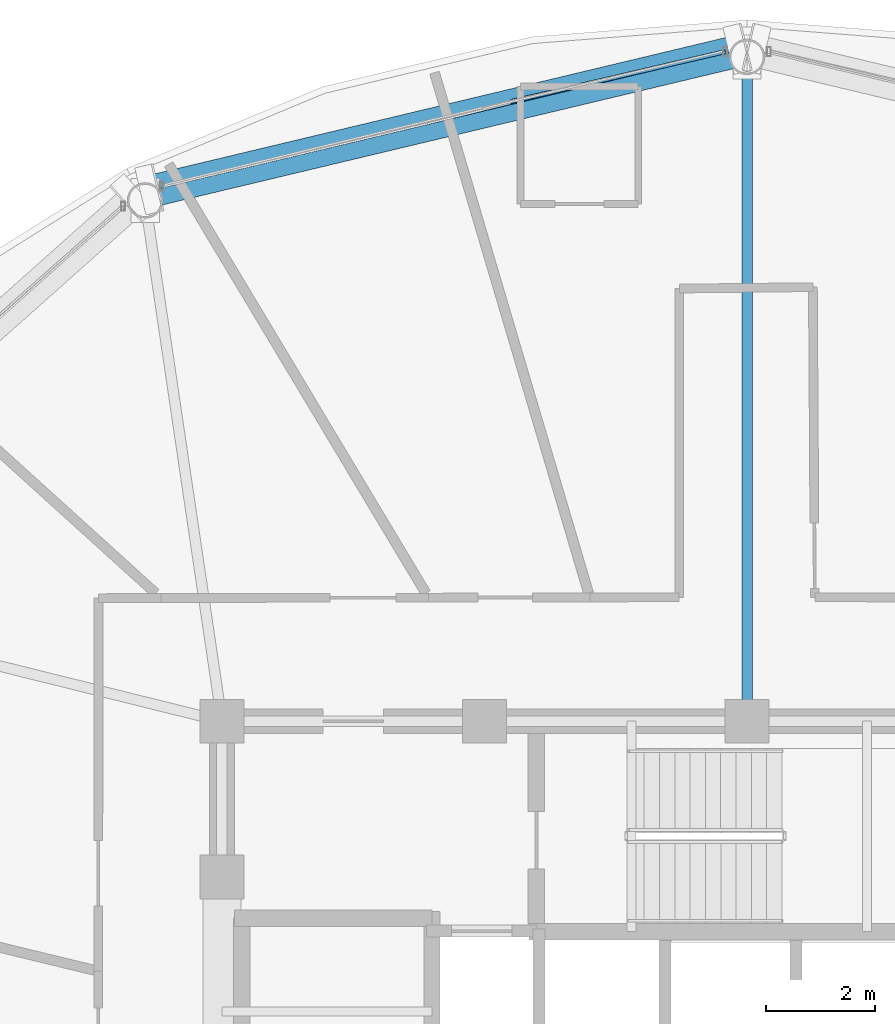
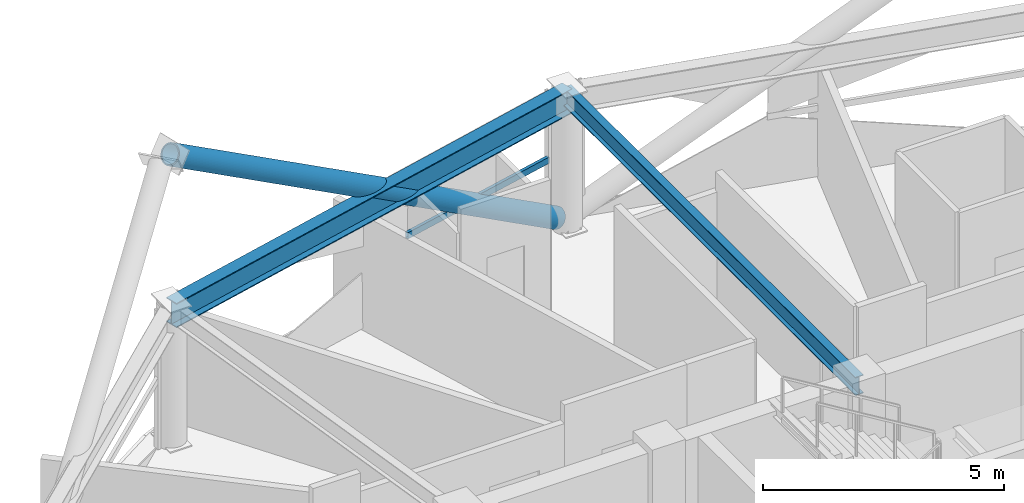
# One storey, part 17 of 29: 2 beams, 2 members, 1 element without a shape of its own.
"""IFC4 building model written with IfcOpenShell, lengths in metres."""

from ifc_helpers import new_model, si_unit, direction, frame, origin, origin_2d, place, context, subcontext, project, spatial, hollow_rectangle, hollow_circle, i_section, extrude, material, layer, layer_set, material_profile, profile_set, type_object, element, aggregate, save


model = new_model("IFC4")

# Units and contexts
model_context = context("Model", 3, precision=1e-05, world=origin(), true_north=direction((0.0, 1.0)))
body_context = subcontext(model_context, "Body", "Model", "MODEL_VIEW")
ifc_project = project(units=[si_unit("LENGTHUNIT", "METRE"), si_unit("AREAUNIT", "SQUARE_METRE"), si_unit("VOLUMEUNIT", "CUBIC_METRE"), si_unit("PLANEANGLEUNIT", "RADIAN"), si_unit("MASSUNIT", "GRAM", prefix="KILO")], contexts=[model_context])

# Site, building, storey
site_placement = place(None, origin())
site = spatial("IfcSite", under=ifc_project, at=site_placement, CompositionType="ELEMENT")
building_placement = place(site_placement, origin())
building = spatial("IfcBuilding", under=site, at=building_placement, Name="Vantalir Tower", CompositionType="ELEMENT")
storey_placement = place(building_placement, frame((0.0, 0.0, 219.89990234375)))
storey = spatial("IfcBuildingStorey", under=building, at=storey_placement, Name="L55", CompositionType="ELEMENT", Elevation=219.89990234375)

# Beams
ifc_material_1 = material(Name="Steel S355", Category="steel")
ifc_material_profile_1 = material_profile(ifc_material_1, i_section(OverallWidth=0.19189453125, OverallDepth=0.462890625, WebThickness=0.010498046875, FlangeThickness=0.017578125, at=origin_2d()), Name="Steel S355")
ifc_profile_set_1 = profile_set([ifc_material_profile_1], Name="Steel S355")
beam_type_1 = type_object("IfcBeamType", Name="BM-RB-457x191", PredefinedType="BEAM", material=ifc_profile_set_1)
beam_1_placement = place(storey_placement, frame((31.5, 44.595947265625, 3.338134765625), z_axis=(0.0, -1.0, 0.0), x_axis=(1.0, 0.0, 0.0)))
element("IfcBeam", 1, at=beam_1_placement, inside=storey, type_object=beam_type_1, Name="L55 Radial Floor Beam 04", PredefinedType="BEAM", context=body_context, shape_type="SweptSolid", body=[
    extrude(i_section(OverallWidth=0.19189453125, OverallDepth=0.462890625, WebThickness=0.010498046875, FlangeThickness=0.017578125, at=origin_2d()), origin(), (0.0, 0.0, 1.0), 12.14599609375),
])
ifc_material_2 = material(Name="Steel S460", Category="steel")
ifc_material_profile_2 = material_profile(ifc_material_2, i_section(OverallWidth=0.306884765625, OverallDepth=0.6201171875, WebThickness=0.01416015625, FlangeThickness=0.023681640625, at=origin_2d()), Name="Steel S460")
ifc_profile_set_2 = profile_set([ifc_material_profile_2], Name="Steel S460")
beam_type_2 = type_object("IfcBeamType", Name="BM-RG-610x305", PredefinedType="USERDEFINED", material=ifc_profile_set_2)
beam_2_placement = place(storey_placement, frame((31.5, 44.595947265625, 3.260009765625), z_axis=(-0.972716546071, -0.231996812479, 0.0), x_axis=(0.231996812479, -0.972716546071, 0.0)))
element("IfcBeam", 2, at=beam_2_placement, inside=storey, type_object=beam_type_2, Name="L55 Circumferential Ring Girder 04", ObjectType="GIRDER", PredefinedType="USERDEFINED", context=body_context, shape_type="SweptSolid", body=[
    extrude(i_section(OverallWidth=0.306884765625, OverallDepth=0.6201171875, WebThickness=0.01416015625, FlangeThickness=0.023681640625, at=origin_2d()), origin(), (0.0, 0.0, 1.0), 11.314697265625),
])

# Curtain wall, member
ifc_material_3 = material(Name="Champagne-silver PVDF aluminium and double-silver Low-E glass", Category="aluminium")
ifc_layer = layer(ifc_material_3, 0.2099609375)
ifc_layer_set = layer_set([ifc_layer], Name="Champagne-silver PVDF aluminium and double-silver Low-E glass")
curtain_wall_type = type_object("IfcCurtainWallType", Name="CW-DIAMOND-Z3", PredefinedType="USERDEFINED", material=ifc_layer_set)
curtain_wall_placement = place(storey_placement, origin())
curtain_wall = element("IfcCurtainWall", 3, at=curtain_wall_placement, inside=storey, type_object=curtain_wall_type, Name="L55 Quilted Pyramid-Diamond Curtain Wall S04", ObjectType="UNITISED CURTAIN WALL", PredefinedType="USERDEFINED")
ifc_material_4 = material(Name="Champagne-silver PVDF aluminium 6063-T6", Category="aluminium")
ifc_material_profile_3 = material_profile(ifc_material_4, hollow_rectangle(XDim=0.074951171875, YDim=0.159912109375, WallThickness=0.00390625, at=origin_2d()), Name="Champagne-silver PVDF aluminium 6063-T6")
ifc_profile_set_3 = profile_set([ifc_material_profile_3], Name="Champagne-silver PVDF aluminium 6063-T6")
member_type_1 = type_object("IfcMemberType", Name="CWT-160x75", PredefinedType="USERDEFINED", material=ifc_profile_set_3)
member_1_placement = place(storey_placement, frame((31.10107421875, 44.69091796875, 1.78515625), z_axis=(-0.973997132863, -0.226560334511, 0.0), x_axis=(0.226560334511, -0.973997132863, 0.0)))
member_1 = element("IfcMember", 4, at=member_1_placement, type_object=member_type_1, Name="CW-L55-S04 Pyramid Fold Ridge Transom", ObjectType="TRANSOM", PredefinedType="USERDEFINED", context=body_context, shape_type="SweptSolid", body=[
    extrude(hollow_rectangle(XDim=0.074951171875, YDim=0.159912109375, WallThickness=0.00390625, at=origin_2d()), origin(), (0.0, 0.0, 1.0), 4.02490234375),
])
aggregate(curtain_wall, [member_1])

# Member
ifc_material_profile_4 = material_profile(ifc_material_2, hollow_circle(Radius=0.25, WallThickness=0.031982421875, at=origin_2d()), Name="Steel S460")
ifc_profile_set_4 = profile_set([ifc_material_profile_4], Name="Steel S460")
member_type_2 = type_object("IfcMemberType", Name="MEM-DB-500x32", PredefinedType="BRACE", material=ifc_profile_set_4)
member_2_placement = place(storey_placement, frame((31.319091796875, 44.742919921875, 0.197021484375), z_axis=(-0.823947323319, -0.196794293286, 0.531397040381), x_axis=(0.232309026629, -0.972642028779, 0.0)))
element("IfcMember", 5, at=member_2_placement, inside=storey, type_object=member_type_2, Name="L55 Perimeter S460 Diagrid Brace R10L", PredefinedType="BRACE", context=body_context, shape_type="SweptSolid", body=[
    extrude(hollow_circle(Radius=0.25, WallThickness=0.031982421875, at=origin_2d()), origin(), (0.0, 0.0, 1.0), 13.03369140625),
])

save(model, "model.ifc")
